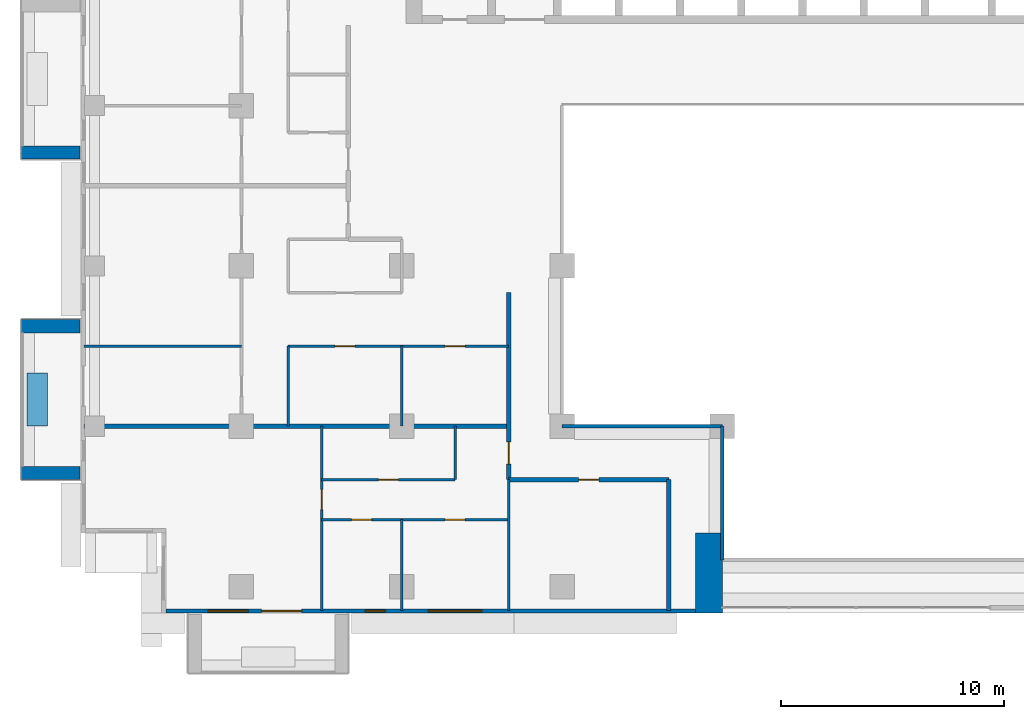
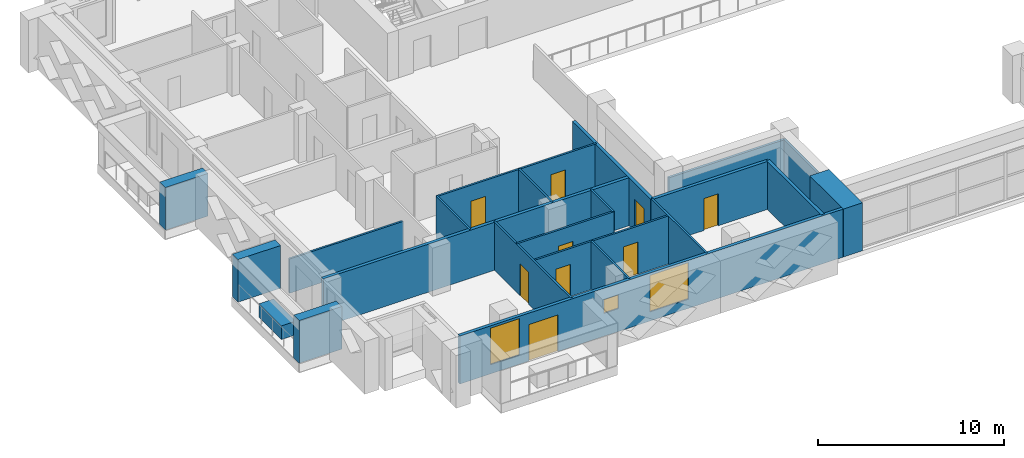
# One storey, part 6 of 19: 22 walls, 9 doors, 3 windows, 12 openings.
"""IFC4 building model written with IfcOpenShell, lengths in metres."""

from ifc_helpers import new_model, si_unit, direction, frame, frame_2d, origin, place, context, subcontext, project, spatial, rectangle, extrude, material, layer, layer_set, type_object, element, fill, save


model = new_model("IFC4")

# Units and contexts
model_context = context("Model", 3, precision=1e-05, world=origin(), true_north=direction((0.0, 1.0)))
body_context = subcontext(model_context, "Body", "Model", "MODEL_VIEW")
ifc_project = project(units=[si_unit("LENGTHUNIT", "METRE"), si_unit("AREAUNIT", "SQUARE_METRE"), si_unit("VOLUMEUNIT", "CUBIC_METRE"), si_unit("PLANEANGLEUNIT", "RADIAN"), si_unit("MASSUNIT", "GRAM", prefix="KILO")], contexts=[model_context])

# Site, building, storey
site_placement = place(None, origin())
site = spatial("IfcSite", under=ifc_project, at=site_placement, CompositionType="ELEMENT")
building_placement = place(site_placement, origin())
building = spatial("IfcBuilding", under=site, at=building_placement, Name="Saffron Iwan Residences", CompositionType="ELEMENT")
storey_placement = place(building_placement, frame((0.0, 0.0, 134.0)))
storey = spatial("IfcBuildingStorey", under=building, at=storey_placement, Name="L35", CompositionType="ELEMENT", Elevation=134.0)

# Walls
ifc_material_1 = material(Name="Fire-rated glazing", Category="glass")
ifc_layer_1 = layer(ifc_material_1, 0.14990234375)
ifc_layer_set_1 = layer_set([ifc_layer_1], Name="Fire-rated glazing")
wall_type_1 = type_object("IfcWallType", Name="Atrium glazed screen 150", PredefinedType="SOLIDWALL", material=ifc_layer_set_1)
wall_1_placement = place(storey_placement, frame((36.0, 48.0, 0.0), z_axis=(0.0, 0.0, 1.0), x_axis=(1.0, 0.0, 0.0)))
element("IfcWall", 1, at=wall_1_placement, inside=storey, type_object=wall_type_1, Name="W-L35-SCREEN-h48-36", PredefinedType="SOLIDWALL", context=body_context, shape_type="SweptSolid", body=[
    extrude(rectangle(XDim=7.199951171875, YDim=0.14990234375, at=frame_2d((3.60009765625, 0.0))), origin(), (0.0, 0.0, 1.0), 2.25),
])
wall_2_placement = place(storey_placement, frame((43.199951171875, 42.0, 0.0), z_axis=(0.0, 0.0, 1.0), x_axis=(0.0, 1.0, 0.0)))
element("IfcWall", 2, at=wall_2_placement, inside=storey, type_object=wall_type_1, Name="W-L35-SCREEN-v43.2-42", PredefinedType="SOLIDWALL", context=body_context, shape_type="SweptSolid", body=[
    extrude(rectangle(XDim=6.0, YDim=0.14990234375, at=frame_2d((3.0, 0.0))), origin(), (0.0, 0.0, 1.0), 2.25),
])
ifc_material_2 = material(Name="Concrete C50/60 white painted", Category="concrete")
ifc_layer_2 = layer(ifc_material_2, 0.60009765625)
ifc_layer_set_2 = layer_set([ifc_layer_2], Name="Concrete C50/60 white painted")
wall_type_2 = type_object("IfcWallType", Name="BALCONY FIN 600", PredefinedType="SOLIDWALL", material=ifc_layer_set_2)
for number, where, z_axis, x_axis, name in (
    (3, (14.35009765625, 60.300048828125, 0.0), (0.0, 0.0, 1.0), (-1.0, 0.0, 0.0), "Balcony fin L35 F8-0b"),
    (4, (14.35009765625, 52.5, 0.0), (0.0, 0.0, 1.0), (-1.0, 0.0, 0.0), "Balcony fin L35 F8-1a"),
    (5, (14.35009765625, 45.89990234375, 0.0), (0.0, 0.0, 1.0), (-1.0, 0.0, 0.0), "Balcony fin L35 F8-1b"),
):
    element("IfcWall", number, at=place(storey_placement, frame(where, z_axis=z_axis, x_axis=x_axis)), inside=storey, type_object=wall_type_2, Name=name, PredefinedType="SOLIDWALL", context=body_context, shape_type="SweptSolid", body=[
        extrude(rectangle(XDim=2.650146484375, YDim=0.60009765625, at=frame_2d((1.3251953125, 0.0))), origin(), (0.0, 0.0, 1.0), 2.800048828125),
    ])
ifc_material_3 = material(Name="Concrete C35/45 white painted", Category="concrete")
ifc_layer_3 = layer(ifc_material_3, 0.14990234375)
ifc_layer_set_3 = layer_set([ifc_layer_3], Name="Concrete C35/45 white painted")
wall_type_3 = type_object("IfcWallType", Name="BALCONY PLANTER", PredefinedType="SOLIDWALL", material=ifc_layer_set_3)
wall_3_placement = place(storey_placement, frame((12.425048828125, 50.39990234375, 0.0), z_axis=(0.0, 0.0, 1.0), x_axis=(0.0, -1.0, 0.0)))
element("IfcWall", 6, at=wall_3_placement, inside=storey, type_object=wall_type_3, Name="PLANTER L35 F8-1", PredefinedType="SOLIDWALL", context=body_context, shape_type="SweptSolid", body=[
    extrude(rectangle(XDim=2.39990234375, YDim=0.89990234375, at=frame_2d((1.199951171875, 0.0))), origin(), (0.0, 0.0, 1.0), 0.89990234375),
])

# Wall, openings, door, windows
ifc_material_4 = material(Name="Concrete C40/50", Category="concrete")
ifc_layer_4 = layer(ifc_material_4, 0.199951171875)
ifc_layer_set_4 = layer_set([ifc_layer_4], Name="Concrete C40/50")
wall_type_4 = type_object("IfcWallType", Name="EXTERNAL WALL 200", PredefinedType="SOLIDWALL", material=ifc_layer_set_4)
wall_4_placement = place(storey_placement, frame((18.199951171875, 39.699951171875, 0.0), z_axis=(0.0, 0.0, 1.0), x_axis=(1.0, 0.0, 0.0)))
wall_4 = element("IfcWall", 7, at=wall_4_placement, inside=storey, type_object=wall_type_4, Name="External wall L35 F11.0", PredefinedType="SOLIDWALL", context=body_context, shape_type="SweptSolid", body=[
    extrude(rectangle(XDim=23.800048828125, YDim=0.199951171875, at=frame_2d((11.89990234375, 0.0))), origin(), (0.0, 0.0, 1.0), 3.14990234375),
])
opening_1_placement = place(wall_4_placement, frame((4.300048828125, 0.0, 0.0)))
opening_1 = element("IfcOpeningElement", 8, at=opening_1_placement, cuts=wall_4, Name="Opening BD1", PredefinedType="OPENING", context=body_context, shape_type="SweptSolid", body=[
    extrude(rectangle(XDim=1.800048828125, YDim=2.39990234375, at=frame_2d((0.89990234375, 1.199951171875))), frame((0.0, 0.10986328125, 0.0), z_axis=(0.0, -1.0, 0.0), x_axis=(1.0, 0.0, 0.0)), (0.0, 0.0, 1.0), 0.219970703125),
])
opening_2_placement = place(wall_4_placement, frame((1.89990234375, 0.0, 0.60009765625)))
opening_2 = element("IfcOpeningElement", 9, at=opening_2_placement, cuts=wall_4, Name="Opening W8", PredefinedType="OPENING", context=body_context, shape_type="SweptSolid", body=[
    extrude(rectangle(XDim=1.800048828125, YDim=2.39990234375, at=frame_2d((0.89990234375, 1.199951171875))), frame((0.0, 0.10986328125, 0.0), z_axis=(0.0, -1.0, 0.0), x_axis=(1.0, 0.0, 0.0)), (0.0, 0.0, 1.0), 0.219970703125),
])
opening_3_placement = place(wall_4_placement, frame((8.949951171875, 0.0, 1.5)))
opening_3 = element("IfcOpeningElement", 10, at=opening_3_placement, cuts=wall_4, Name="Opening W6", PredefinedType="OPENING", context=body_context, shape_type="SweptSolid", body=[
    extrude(rectangle(XDim=0.89990234375, YDim=0.89990234375, at=frame_2d((0.449951171875, 0.449951171875))), frame((0.0, 0.10986328125, 0.0), z_axis=(0.0, -1.0, 0.0), x_axis=(1.0, 0.0, 0.0)), (0.0, 0.0, 1.0), 0.219970703125),
])
opening_4_placement = place(wall_4_placement, frame((11.800048828125, 0.0, 0.60009765625)))
opening_4 = element("IfcOpeningElement", 11, at=opening_4_placement, cuts=wall_4, Name="Opening W1", PredefinedType="OPENING", context=body_context, shape_type="SweptSolid", body=[
    extrude(rectangle(XDim=2.39990234375, YDim=2.39990234375, at=frame_2d((1.199951171875, 1.199951171875))), frame((0.0, 0.10986328125, 0.0), z_axis=(0.0, -1.0, 0.0), x_axis=(1.0, 0.0, 0.0)), (0.0, 0.0, 1.0), 0.219970703125),
])
ifc_material_5 = material(Name="Clear glass, laminated double glazed", Category="glass")
door_type_1 = type_object("IfcDoorType", Name="BALCONY DOOR 1800 x 2400", OperationType="DOUBLE_DOOR_SLIDING", PredefinedType="DOOR", material=ifc_material_5)
door_1_placement = place(opening_1_placement, origin())
door_1 = element("IfcDoor", 12, at=door_1_placement, inside=storey, type_object=door_type_1, Name="Balcony door L35 F11.0", OperationType="DOUBLE_DOOR_SLIDING", OverallHeight=2.39990234375, OverallWidth=1.800048828125, PredefinedType="DOOR", context=body_context, shape_type="SweptSolid", body=[
    extrude(rectangle(XDim=1.800048828125, YDim=2.39990234375, at=frame_2d((0.89990234375, 1.199951171875))), frame((0.0, 0.02490234375, 0.0), z_axis=(0.0, -1.0, 0.0), x_axis=(1.0, 0.0, 0.0)), (0.0, 0.0, 1.0), 0.050048828125),
])
fill(opening_1, door_1)
window_type_1 = type_object("IfcWindowType", Name="WINDOW 1800 x 2400", PartitioningType="DOUBLE_PANEL_VERTICAL", PredefinedType="WINDOW", material=ifc_material_5)
window_1_placement = place(opening_2_placement, origin())
window_1 = element("IfcWindow", 13, at=window_1_placement, inside=storey, type_object=window_type_1, Name="Window L35 F11.1", OverallHeight=2.39990234375, OverallWidth=1.800048828125, PartitioningType="DOUBLE_PANEL_VERTICAL", PredefinedType="WINDOW", context=body_context, shape_type="SweptSolid", body=[
    extrude(rectangle(XDim=1.800048828125, YDim=2.39990234375, at=frame_2d((0.89990234375, 1.199951171875))), frame((0.0, 0.030029296875, 0.0), z_axis=(0.0, -1.0, 0.0), x_axis=(1.0, 0.0, 0.0)), (0.0, 0.0, 1.0), 0.06005859375),
])
fill(opening_2, window_1)
window_type_2 = type_object("IfcWindowType", Name="WINDOW 2400 x 2400", PartitioningType="DOUBLE_PANEL_VERTICAL", PredefinedType="WINDOW", material=ifc_material_5)
window_2_placement = place(opening_4_placement, origin())
window_2 = element("IfcWindow", 14, at=window_2_placement, inside=storey, type_object=window_type_2, Name="Window L35 F11.3", OverallHeight=2.39990234375, OverallWidth=2.39990234375, PartitioningType="DOUBLE_PANEL_VERTICAL", PredefinedType="WINDOW", context=body_context, shape_type="SweptSolid", body=[
    extrude(rectangle(XDim=2.39990234375, YDim=2.39990234375, at=frame_2d((1.199951171875, 1.199951171875))), frame((0.0, 0.030029296875, 0.0), z_axis=(0.0, -1.0, 0.0), x_axis=(1.0, 0.0, 0.0)), (0.0, 0.0, 1.0), 0.06005859375),
])
fill(opening_4, window_2)
window_type_3 = type_object("IfcWindowType", Name="WINDOW 900 x 900 BATH", PartitioningType="SINGLE_PANEL", PredefinedType="WINDOW", material=ifc_material_5)
window_3_placement = place(opening_3_placement, origin())
window_3 = element("IfcWindow", 15, at=window_3_placement, inside=storey, type_object=window_type_3, Name="Window L35 F11.2", OverallHeight=0.89990234375, OverallWidth=0.89990234375, PartitioningType="SINGLE_PANEL", PredefinedType="WINDOW", context=body_context, shape_type="SweptSolid", body=[
    extrude(rectangle(XDim=0.89990234375, YDim=0.89990234375, at=frame_2d((0.449951171875, 0.449951171875))), frame((0.0, 0.030029296875, 0.0), z_axis=(0.0, -1.0, 0.0), x_axis=(1.0, 0.0, 0.0)), (0.0, 0.0, 1.0), 0.06005859375),
])
fill(opening_3, window_3)

# Wall
ifc_material_6 = material(Name="Fire-rated gypsum board wall")
ifc_layer_5 = layer(ifc_material_6, 0.199951171875)
ifc_layer_set_5 = layer_set([ifc_layer_5], Name="Fire-rated gypsum board wall")
wall_type_5 = type_object("IfcWallType", Name="Flat demising wall 200", PredefinedType="SOLIDWALL", material=ifc_layer_set_5)
wall_5_placement = place(storey_placement, frame((14.52490234375, 48.0, 0.0), z_axis=(0.0, 0.0, 1.0), x_axis=(1.0, 0.0, 0.0)))
element("IfcWall", 16, at=wall_5_placement, inside=storey, type_object=wall_type_5, Name="W-L35-DEMISE-h48-14.525", PredefinedType="SOLIDWALL", context=body_context, shape_type="SweptSolid", body=[
    extrude(rectangle(XDim=19.0751953125, YDim=0.199951171875, at=frame_2d((9.53759765625, 0.0))), origin(), (0.0, 0.0, 1.0), 3.14990234375),
])

# Wall, openings, doors
ifc_material_7 = material(Name="Gypsum board partition")
ifc_layer_6 = layer(ifc_material_7, 0.1201171875)
ifc_layer_set_6 = layer_set([ifc_layer_6], Name="Gypsum board partition")
wall_type_6 = type_object("IfcWallType", Name="Flat partition 120", PredefinedType="PARTITIONING", material=ifc_layer_set_6)
wall_6_placement = place(storey_placement, frame((25.199951171875, 43.800048828125, 0.0), z_axis=(0.0, 0.0, 1.0), x_axis=(1.0, 0.0, 0.0)))
wall_6 = element("IfcWall", 17, at=wall_6_placement, inside=storey, type_object=wall_type_6, Name="W-L35-PART-h43.8-25.2", PredefinedType="PARTITIONING", context=body_context, shape_type="SweptSolid", body=[
    extrude(rectangle(XDim=8.400146484375, YDim=0.1201171875, at=frame_2d((4.2001953125, 0.0))), origin(), (0.0, 0.0, 1.0), 3.14990234375),
])
opening_5_placement = place(wall_6_placement, frame((1.35009765625, 0.0, 0.0)))
opening_5 = element("IfcOpeningElement", 18, at=opening_5_placement, cuts=wall_6, Name="Opening FD2", PredefinedType="OPENING", context=body_context, shape_type="SweptSolid", body=[
    extrude(rectangle(XDim=0.89990234375, YDim=2.10009765625, at=frame_2d((0.449951171875, 1.050048828125))), frame((0.0, 0.070068359375, 0.0), z_axis=(0.0, -1.0, 0.0), x_axis=(1.0, 0.0, 0.0)), (0.0, 0.0, 1.0), 0.14013671875),
])
opening_6_placement = place(wall_6_placement, frame((5.550048828125, 0.0, 0.0)))
opening_6 = element("IfcOpeningElement", 19, at=opening_6_placement, cuts=wall_6, Name="Opening FD2", PredefinedType="OPENING", context=body_context, shape_type="SweptSolid", body=[
    extrude(rectangle(XDim=0.89990234375, YDim=2.10009765625, at=frame_2d((0.449951171875, 1.050048828125))), frame((0.0, 0.070068359375, 0.0), z_axis=(0.0, -1.0, 0.0), x_axis=(1.0, 0.0, 0.0)), (0.0, 0.0, 1.0), 0.14013671875),
])
ifc_material_8 = material(Name="Timber door", Category="wood")
door_type_2 = type_object("IfcDoorType", Name="Flat door 900", OperationType="NOTDEFINED", PredefinedType="DOOR", material=ifc_material_8)
door_2_placement = place(opening_5_placement, origin())
door_2 = element("IfcDoor", 20, at=door_2_placement, inside=storey, type_object=door_type_2, Name="Door L35-003", OperationType="SINGLE_SWING_LEFT", OverallHeight=2.10009765625, OverallWidth=0.89990234375, PredefinedType="DOOR", context=body_context, shape_type="SweptSolid", body=[
    extrude(rectangle(XDim=0.89990234375, YDim=2.10009765625, at=frame_2d((0.449951171875, 1.050048828125))), frame((0.0, 0.02490234375, 0.0), z_axis=(0.0, -1.0, 0.0), x_axis=(1.0, 0.0, 0.0)), (0.0, 0.0, 1.0), 0.050048828125),
])
fill(opening_5, door_2)
door_3_placement = place(opening_6_placement, origin())
door_3 = element("IfcDoor", 21, at=door_3_placement, inside=storey, type_object=door_type_2, Name="Door L35-004", OperationType="SINGLE_SWING_LEFT", OverallHeight=2.10009765625, OverallWidth=0.89990234375, PredefinedType="DOOR", context=body_context, shape_type="SweptSolid", body=[
    extrude(rectangle(XDim=0.89990234375, YDim=2.10009765625, at=frame_2d((0.449951171875, 1.050048828125))), frame((0.0, 0.02490234375, 0.0), z_axis=(0.0, -1.0, 0.0), x_axis=(1.0, 0.0, 0.0)), (0.0, 0.0, 1.0), 0.050048828125),
])
fill(opening_6, door_3)

# Wall, opening, door
wall_7_placement = place(storey_placement, frame((25.199951171875, 45.60009765625, 0.0), z_axis=(0.0, 0.0, 1.0), x_axis=(1.0, 0.0, 0.0)))
wall_7 = element("IfcWall", 22, at=wall_7_placement, inside=storey, type_object=wall_type_6, Name="W-L35-PART-h45.6-25.2", PredefinedType="PARTITIONING", context=body_context, shape_type="SweptSolid", body=[
    extrude(rectangle(XDim=6.0, YDim=0.1201171875, at=frame_2d((3.0, 0.0))), origin(), (0.0, 0.0, 1.0), 3.14990234375),
])
opening_7_placement = place(wall_7_placement, frame((2.550048828125, 0.0, 0.0)))
opening_7 = element("IfcOpeningElement", 23, at=opening_7_placement, cuts=wall_7, Name="Opening FD2", PredefinedType="OPENING", context=body_context, shape_type="SweptSolid", body=[
    extrude(rectangle(XDim=0.89990234375, YDim=2.10009765625, at=frame_2d((0.449951171875, 1.050048828125))), frame((0.0, 0.070068359375, 0.0), z_axis=(0.0, -1.0, 0.0), x_axis=(1.0, 0.0, 0.0)), (0.0, 0.0, 1.0), 0.14013671875),
])
door_4_placement = place(opening_7_placement, origin())
door_4 = element("IfcDoor", 24, at=door_4_placement, inside=storey, type_object=door_type_2, Name="Door L35-005", OperationType="SINGLE_SWING_RIGHT", OverallHeight=2.10009765625, OverallWidth=0.89990234375, PredefinedType="DOOR", context=body_context, shape_type="SweptSolid", body=[
    extrude(rectangle(XDim=0.89990234375, YDim=2.10009765625, at=frame_2d((0.449951171875, 1.050048828125))), frame((0.0, 0.02490234375, 0.0), z_axis=(0.0, -1.0, 0.0), x_axis=(1.0, 0.0, 0.0)), (0.0, 0.0, 1.0), 0.050048828125),
])
fill(opening_7, door_4)

# Wall
wall_8_placement = place(storey_placement, frame((14.52490234375, 51.60009765625, 0.0), z_axis=(0.0, 0.0, 1.0), x_axis=(1.0, 0.0, 0.0)))
element("IfcWall", 25, at=wall_8_placement, inside=storey, type_object=wall_type_6, Name="W-L35-PART-h51.6-14.525", PredefinedType="PARTITIONING", context=body_context, shape_type="SweptSolid", body=[
    extrude(rectangle(XDim=7.0751953125, YDim=0.1201171875, at=frame_2d((3.53759765625, 0.0))), origin(), (0.0, 0.0, 1.0), 2.25),
])

# Wall, openings, doors
wall_9_placement = place(storey_placement, frame((23.699951171875, 51.60009765625, 0.0), z_axis=(0.0, 0.0, 1.0), x_axis=(1.0, 0.0, 0.0)))
wall_9 = element("IfcWall", 26, at=wall_9_placement, inside=storey, type_object=wall_type_6, Name="W-L35-PART-h51.6-23.7", PredefinedType="PARTITIONING", context=body_context, shape_type="SweptSolid", body=[
    extrude(rectangle(XDim=9.900146484375, YDim=0.1201171875, at=frame_2d((4.9501953125, 0.0))), origin(), (0.0, 0.0, 1.0), 3.14990234375),
])
opening_8_placement = place(wall_9_placement, frame((2.10009765625, 0.0, 0.0)))
opening_8 = element("IfcOpeningElement", 27, at=opening_8_placement, cuts=wall_9, Name="Opening FD2", PredefinedType="OPENING", context=body_context, shape_type="SweptSolid", body=[
    extrude(rectangle(XDim=0.89990234375, YDim=2.10009765625, at=frame_2d((0.449951171875, 1.050048828125))), frame((0.0, 0.070068359375, 0.0), z_axis=(0.0, -1.0, 0.0), x_axis=(1.0, 0.0, 0.0)), (0.0, 0.0, 1.0), 0.14013671875),
])
opening_9_placement = place(wall_9_placement, frame((7.050048828125, 0.0, 0.0)))
opening_9 = element("IfcOpeningElement", 28, at=opening_9_placement, cuts=wall_9, Name="Opening FD2", PredefinedType="OPENING", context=body_context, shape_type="SweptSolid", body=[
    extrude(rectangle(XDim=0.89990234375, YDim=2.10009765625, at=frame_2d((0.449951171875, 1.050048828125))), frame((0.0, 0.070068359375, 0.0), z_axis=(0.0, -1.0, 0.0), x_axis=(1.0, 0.0, 0.0)), (0.0, 0.0, 1.0), 0.14013671875),
])
door_5_placement = place(opening_8_placement, origin())
door_5 = element("IfcDoor", 29, at=door_5_placement, inside=storey, type_object=door_type_2, Name="Door L35-010", OperationType="SINGLE_SWING_LEFT", OverallHeight=2.10009765625, OverallWidth=0.89990234375, PredefinedType="DOOR", context=body_context, shape_type="SweptSolid", body=[
    extrude(rectangle(XDim=0.89990234375, YDim=2.10009765625, at=frame_2d((0.449951171875, 1.050048828125))), frame((0.0, 0.02490234375, 0.0), z_axis=(0.0, -1.0, 0.0), x_axis=(1.0, 0.0, 0.0)), (0.0, 0.0, 1.0), 0.050048828125),
])
fill(opening_8, door_5)
door_6_placement = place(opening_9_placement, origin())
door_6 = element("IfcDoor", 30, at=door_6_placement, inside=storey, type_object=door_type_2, Name="Door L35-012", OperationType="SINGLE_SWING_LEFT", OverallHeight=2.10009765625, OverallWidth=0.89990234375, PredefinedType="DOOR", context=body_context, shape_type="SweptSolid", body=[
    extrude(rectangle(XDim=0.89990234375, YDim=2.10009765625, at=frame_2d((0.449951171875, 1.050048828125))), frame((0.0, 0.02490234375, 0.0), z_axis=(0.0, -1.0, 0.0), x_axis=(1.0, 0.0, 0.0)), (0.0, 0.0, 1.0), 0.050048828125),
])
fill(opening_9, door_6)

# Wall
wall_10_placement = place(storey_placement, frame((23.699951171875, 48.0, 0.0), z_axis=(0.0, 0.0, 1.0), x_axis=(0.0, 1.0, 0.0)))
element("IfcWall", 31, at=wall_10_placement, inside=storey, type_object=wall_type_6, Name="W-L35-PART-v23.7-48", PredefinedType="PARTITIONING", context=body_context, shape_type="SweptSolid", body=[
    extrude(rectangle(XDim=3.60009765625, YDim=0.1201171875, at=frame_2d((1.800048828125, 0.0))), origin(), (0.0, 0.0, 1.0), 3.14990234375),
])

# Wall, opening, door
wall_11_placement = place(storey_placement, frame((25.199951171875, 39.72509765625, 0.0), z_axis=(0.0, 0.0, 1.0), x_axis=(0.0, 1.0, 0.0)))
wall_11 = element("IfcWall", 32, at=wall_11_placement, inside=storey, type_object=wall_type_6, Name="W-L35-PART-v25.2-39.725", PredefinedType="PARTITIONING", context=body_context, shape_type="SweptSolid", body=[
    extrude(rectangle(XDim=8.27490234375, YDim=0.1201171875, at=frame_2d((4.137451171875, 0.0))), origin(), (0.0, 0.0, 1.0), 3.14990234375),
])
opening_10_placement = place(wall_11_placement, frame((4.52490234375, 0.0, 0.0)))
opening_10 = element("IfcOpeningElement", 33, at=opening_10_placement, cuts=wall_11, Name="Opening FD2", PredefinedType="OPENING", context=body_context, shape_type="SweptSolid", body=[
    extrude(rectangle(XDim=0.89990234375, YDim=2.10009765625, at=frame_2d((0.449951171875, 1.050048828125))), frame((0.0, 0.070068359375, 0.0), z_axis=(0.0, -1.0, 0.0), x_axis=(1.0, 0.0, 0.0)), (0.0, 0.0, 1.0), 0.14013671875),
])
door_7_placement = place(opening_10_placement, origin())
door_7 = element("IfcDoor", 34, at=door_7_placement, inside=storey, type_object=door_type_2, Name="Door L35-002", OperationType="SINGLE_SWING_RIGHT", OverallHeight=2.10009765625, OverallWidth=0.89990234375, PredefinedType="DOOR", context=body_context, shape_type="SweptSolid", body=[
    extrude(rectangle(XDim=0.89990234375, YDim=2.10009765625, at=frame_2d((0.449951171875, 1.050048828125))), frame((0.0, 0.02490234375, 0.0), z_axis=(0.0, -1.0, 0.0), x_axis=(1.0, 0.0, 0.0)), (0.0, 0.0, 1.0), 0.050048828125),
])
fill(opening_10, door_7)

# Walls
wall_12_placement = place(storey_placement, frame((28.800048828125, 39.72509765625, 0.0), z_axis=(0.0, 0.0, 1.0), x_axis=(0.0, 1.0, 0.0)))
element("IfcWall", 35, at=wall_12_placement, inside=storey, type_object=wall_type_6, Name="W-L35-PART-v28.8-39.725", PredefinedType="PARTITIONING", context=body_context, shape_type="SweptSolid", body=[
    extrude(rectangle(XDim=4.074951171875, YDim=0.1201171875, at=frame_2d((2.03759765625, 0.0))), origin(), (0.0, 0.0, 1.0), 3.14990234375),
])
wall_13_placement = place(storey_placement, frame((28.800048828125, 48.0, 0.0), z_axis=(0.0, 0.0, 1.0), x_axis=(0.0, 1.0, 0.0)))
element("IfcWall", 36, at=wall_13_placement, inside=storey, type_object=wall_type_6, Name="W-L35-PART-v28.8-48", PredefinedType="PARTITIONING", context=body_context, shape_type="SweptSolid", body=[
    extrude(rectangle(XDim=3.60009765625, YDim=0.1201171875, at=frame_2d((1.800048828125, 0.0))), origin(), (0.0, 0.0, 1.0), 3.14990234375),
])
wall_14_placement = place(storey_placement, frame((31.199951171875, 45.60009765625, 0.0), z_axis=(0.0, 0.0, 1.0), x_axis=(0.0, 1.0, 0.0)))
element("IfcWall", 37, at=wall_14_placement, inside=storey, type_object=wall_type_6, Name="W-L35-PART-v31.2-45.6", PredefinedType="PARTITIONING", context=body_context, shape_type="SweptSolid", body=[
    extrude(rectangle(XDim=2.39990234375, YDim=0.1201171875, at=frame_2d((1.199951171875, 0.0))), origin(), (0.0, 0.0, 1.0), 3.14990234375),
])
wall_15_placement = place(storey_placement, frame((33.60009765625, 39.72509765625, 0.0), z_axis=(0.0, 0.0, 1.0), x_axis=(0.0, 1.0, 0.0)))
element("IfcWall", 38, at=wall_15_placement, inside=storey, type_object=wall_type_6, Name="W-L35-PART-v33.6-39.725", PredefinedType="PARTITIONING", context=body_context, shape_type="SweptSolid", body=[
    extrude(rectangle(XDim=5.875, YDim=0.1201171875, at=frame_2d((2.9375, 0.0))), origin(), (0.0, 0.0, 1.0), 3.14990234375),
])

# Wall, opening, door
ifc_layer_7 = layer(ifc_material_6, 0.199951171875)
ifc_layer_set_7 = layer_set([ifc_layer_7], Name="Fire-rated gypsum board wall")
wall_type_7 = type_object("IfcWallType", Name="Gallery wall 200", PredefinedType="SOLIDWALL", material=ifc_layer_set_7)
wall_16_placement = place(storey_placement, frame((33.60009765625, 45.60009765625, 0.0), z_axis=(0.0, 0.0, 1.0), x_axis=(1.0, 0.0, 0.0)))
wall_16 = element("IfcWall", 39, at=wall_16_placement, inside=storey, type_object=wall_type_7, Name="W-L35-CORR-h45.6-33.6", PredefinedType="SOLIDWALL", context=body_context, shape_type="SweptSolid", body=[
    extrude(rectangle(XDim=7.199951171875, YDim=0.199951171875, at=frame_2d((3.60009765625, 0.0))), origin(), (0.0, 0.0, 1.0), 3.14990234375),
])
opening_11_placement = place(wall_16_placement, frame((3.14990234375, 0.0, 0.0)))
opening_11 = element("IfcOpeningElement", 40, at=opening_11_placement, cuts=wall_16, Name="Opening FD2", PredefinedType="OPENING", context=body_context, shape_type="SweptSolid", body=[
    extrude(rectangle(XDim=0.89990234375, YDim=2.10009765625, at=frame_2d((0.449951171875, 1.050048828125))), frame((0.0, 0.10986328125, 0.0), z_axis=(0.0, -1.0, 0.0), x_axis=(1.0, 0.0, 0.0)), (0.0, 0.0, 1.0), 0.219970703125),
])
door_8_placement = place(opening_11_placement, origin())
door_8 = element("IfcDoor", 41, at=door_8_placement, inside=storey, type_object=door_type_2, Name="Door L35-006", OperationType="SINGLE_SWING_LEFT", OverallHeight=2.10009765625, OverallWidth=0.89990234375, PredefinedType="DOOR", context=body_context, shape_type="SweptSolid", body=[
    extrude(rectangle(XDim=0.89990234375, YDim=2.10009765625, at=frame_2d((0.449951171875, 1.050048828125))), frame((0.0, 0.02490234375, 0.0), z_axis=(0.0, -1.0, 0.0), x_axis=(1.0, 0.0, 0.0)), (0.0, 0.0, 1.0), 0.050048828125),
])
fill(opening_11, door_8)

wall_17_placement = place(storey_placement, frame((33.60009765625, 45.60009765625, 0.0), z_axis=(0.0, 0.0, 1.0), x_axis=(0.0, 1.0, 0.0)))
wall_17 = element("IfcWall", 42, at=wall_17_placement, inside=storey, type_object=wall_type_7, Name="W-L35-CORR-v33.6-45.6", PredefinedType="SOLIDWALL", context=body_context, shape_type="SweptSolid", body=[
    extrude(rectangle(XDim=8.39990234375, YDim=0.199951171875, at=frame_2d((4.199951171875, 0.0))), origin(), (0.0, 0.0, 1.0), 3.14990234375),
])
opening_12_placement = place(wall_17_placement, frame((0.699951171875, 0.0, 0.0)))
opening_12 = element("IfcOpeningElement", 43, at=opening_12_placement, cuts=wall_17, Name="Opening FD1", PredefinedType="OPENING", context=body_context, shape_type="SweptSolid", body=[
    extrude(rectangle(XDim=1.0, YDim=2.10009765625, at=frame_2d((0.5, 1.050048828125))), frame((0.0, 0.10986328125, 0.0), z_axis=(0.0, -1.0, 0.0), x_axis=(1.0, 0.0, 0.0)), (0.0, 0.0, 1.0), 0.219970703125),
])
ifc_material_9 = material(Name="Fire-rated timber door", Category="wood")
door_type_3 = type_object("IfcDoorType", Name="FD30S flat entrance door 1000", OperationType="NOTDEFINED", PredefinedType="DOOR", material=ifc_material_9)
door_9_placement = place(opening_12_placement, origin())
door_9 = element("IfcDoor", 44, at=door_9_placement, inside=storey, type_object=door_type_3, Name="Door L35-001", OperationType="SINGLE_SWING_LEFT", OverallHeight=2.10009765625, OverallWidth=1.0, PredefinedType="DOOR", context=body_context, shape_type="SweptSolid", body=[
    extrude(rectangle(XDim=1.0, YDim=2.10009765625, at=frame_2d((0.5, 1.050048828125))), frame((0.0, 0.02490234375, 0.0), z_axis=(0.0, -1.0, 0.0), x_axis=(1.0, 0.0, 0.0)), (0.0, 0.0, 1.0), 0.050048828125),
])
fill(opening_12, door_9)

# Walls
wall_18_placement = place(storey_placement, frame((40.800048828125, 39.72509765625, 0.0), z_axis=(0.0, 0.0, 1.0), x_axis=(0.0, 1.0, 0.0)))
element("IfcWall", 45, at=wall_18_placement, inside=storey, type_object=wall_type_7, Name="W-L35-CORR-v40.8-39.725", PredefinedType="SOLIDWALL", context=body_context, shape_type="SweptSolid", body=[
    extrude(rectangle(XDim=5.875, YDim=0.199951171875, at=frame_2d((2.9375, 0.0))), origin(), (0.0, 0.0, 1.0), 3.14990234375),
])
ifc_material_10 = material(Name="Concrete C50/60", Category="concrete")
ifc_layer_8 = layer(ifc_material_10, 1.199951171875)
ifc_layer_set_8 = layer_set([ifc_layer_8], Name="Concrete C50/60")
wall_type_8 = type_object("IfcWallType", Name="WALL IWAN PIER 1200 C50/60 3150 HIGH", PredefinedType="SHEAR", material=ifc_layer_set_8)
wall_19_placement = place(storey_placement, frame((42.60009765625, 39.60009765625, 0.0), z_axis=(0.0, 0.0, 1.0), x_axis=(0.0, 1.0, 0.0)))
element("IfcWall", 46, at=wall_19_placement, inside=storey, type_object=wall_type_8, Name="IWAN PIER", PredefinedType="SHEAR", context=body_context, shape_type="SweptSolid", body=[
    extrude(rectangle(XDim=3.599853515625, YDim=1.199951171875, at=frame_2d((1.7998046875, 0.0))), origin(), (0.0, 0.0, 1.0), 3.14990234375),
])

save(model, "model.ifc")
